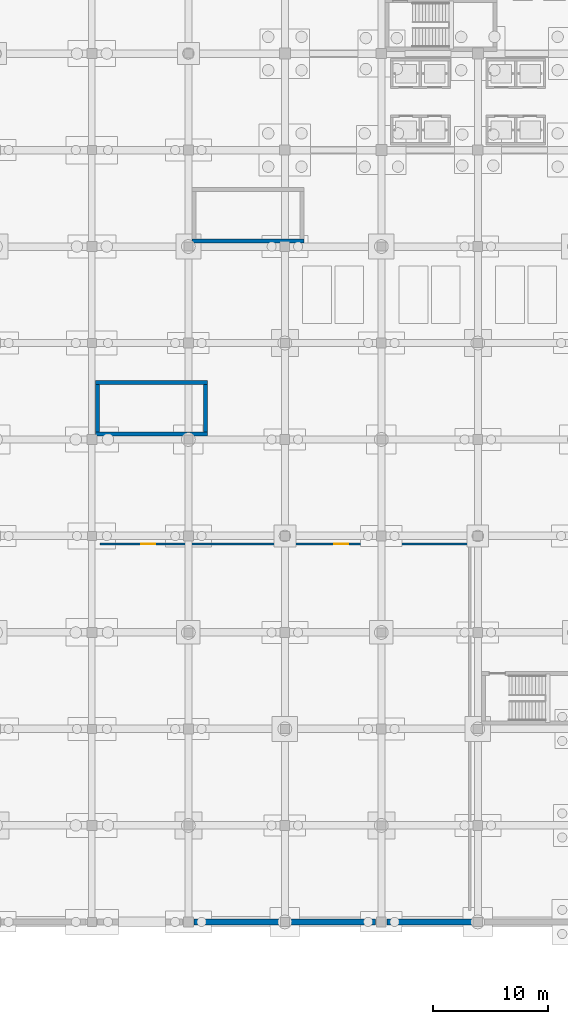
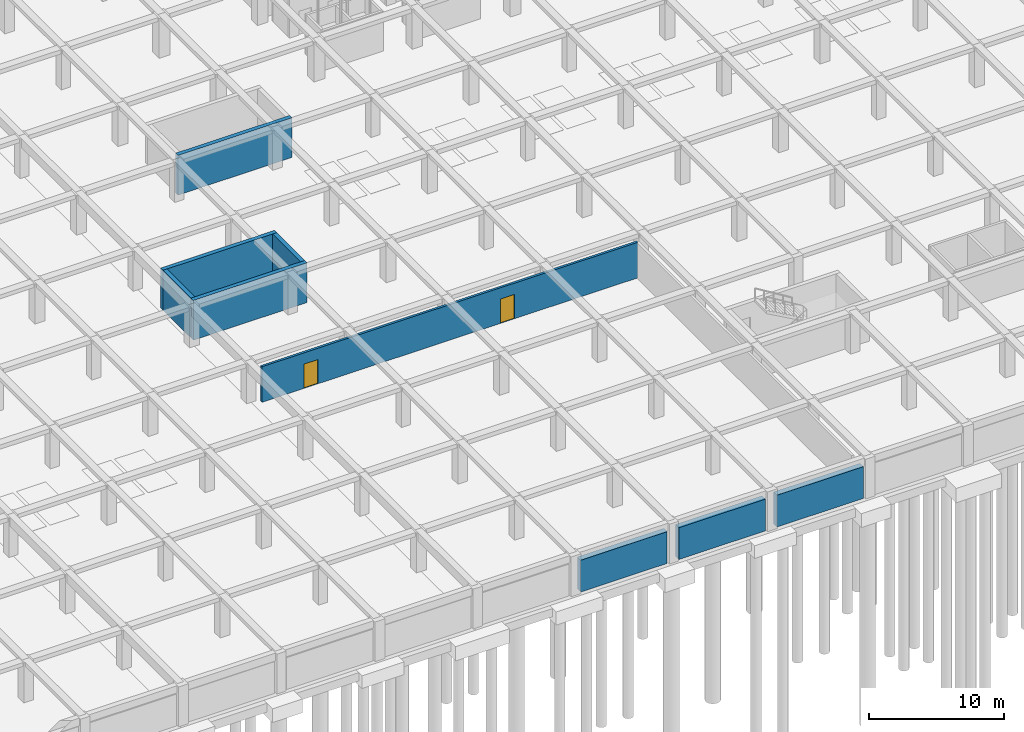
# One storey, part 19 of 47: 9 walls, 2 doors, 2 openings.
"""IFC4 building model written with IfcOpenShell, lengths in metres."""

from ifc_helpers import new_model, si_unit, direction, frame, frame_2d, origin, place, context, subcontext, project, spatial, rectangle, extrude, material, layer, layer_set, type_object, element, fill, save


model = new_model("IFC4")

# Units and contexts
model_context = context("Model", 3, precision=1e-05, world=origin(), true_north=direction((0.0, 1.0)))
body_context = subcontext(model_context, "Body", "Model", "MODEL_VIEW")
ifc_project = project(units=[si_unit("LENGTHUNIT", "METRE"), si_unit("AREAUNIT", "SQUARE_METRE"), si_unit("VOLUMEUNIT", "CUBIC_METRE"), si_unit("PLANEANGLEUNIT", "RADIAN"), si_unit("MASSUNIT", "GRAM", prefix="KILO")], contexts=[model_context])

# Site, building, storey
site_placement = place(None, origin())
site = spatial("IfcSite", under=ifc_project, at=site_placement, CompositionType="ELEMENT")
building_placement = place(site_placement, origin())
building = spatial("IfcBuilding", under=site, at=building_placement, Name="Almacenes y Pasaje Nevantli", CompositionType="ELEMENT")
storey_placement = place(building_placement, frame((0.0, 0.0, -8.10009765625)))
storey = spatial("IfcBuildingStorey", under=building, at=storey_placement, Name="B02", CompositionType="ELEMENT", Elevation=-8.10009765625)

# Wall, openings, doors
ifc_material_1 = material(Name="Fire-Rated Concrete Blockwork", Category="masonry")
ifc_layer_1 = layer(ifc_material_1, 0.199951171875)
ifc_layer_set_1 = layer_set([ifc_layer_1], Name="Fire-Rated Concrete Blockwork")
wall_type_1 = type_object("IfcWallType", Name="WL-COMP-200", PredefinedType="PARTITIONING", material=ifc_layer_set_1)
wall_1_placement = place(storey_placement, frame((93.10009765625, 32.89990234375, 0.0), z_axis=(0.0, 0.0, 1.0), x_axis=(1.0, 0.0, 0.0)))
wall_1 = element("IfcWall", 1, at=wall_1_placement, inside=storey, type_object=wall_type_1, Name="B02 Interior Partition Wall IW-200 #15", PredefinedType="PARTITIONING", context=body_context, shape_type="SweptSolid", body=[
    extrude(rectangle(XDim=32.199951171875, YDim=0.199951171875, at=frame_2d((16.10009765625, 0.0))), origin(), (0.0, 0.0, 1.0), 3.22021484375),
])
opening_1_placement = place(wall_1_placement, frame((3.60009765625, 0.0, 0.0)))
opening_1 = element("IfcOpeningElement", 2, at=opening_1_placement, cuts=wall_1, Name="Opening ID-B02-006", PredefinedType="OPENING", context=body_context, shape_type="SweptSolid", body=[
    extrude(rectangle(XDim=1.199951171875, YDim=2.199951171875, at=frame_2d((0.60009765625, 1.10009765625))), frame((0.0, 0.10986328125, 0.0), z_axis=(0.0, -1.0, 0.0), x_axis=(1.0, 0.0, 0.0)), (0.0, 0.0, 1.0), 0.219970703125),
])
opening_2_placement = place(wall_1_placement, frame((20.39990234375, 0.0, 0.0)))
opening_2 = element("IfcOpeningElement", 3, at=opening_2_placement, cuts=wall_1, Name="Opening ID-B02-007", PredefinedType="OPENING", context=body_context, shape_type="SweptSolid", body=[
    extrude(rectangle(XDim=1.199951171875, YDim=2.199951171875, at=frame_2d((0.60009765625, 1.10009765625))), frame((0.0, 0.10986328125, 0.0), z_axis=(0.0, -1.0, 0.0), x_axis=(1.0, 0.0, 0.0)), (0.0, 0.0, 1.0), 0.219970703125),
])
ifc_material_2 = material(Name="Galvanized Fire-Rated Steel", Category="steel")
door_type_1 = type_object("IfcDoorType", Name="DR-FD60-1200", OperationType="SINGLE_SWING_LEFT", PredefinedType="DOOR", material=ifc_material_2)
door_1_placement = place(opening_1_placement, origin())
door_1 = element("IfcDoor", 4, at=door_1_placement, inside=storey, type_object=door_type_1, Name="B02 Fire Cistern Pump Hall Door", OperationType="SINGLE_SWING_LEFT", OverallHeight=2.199951171875, OverallWidth=1.199951171875, PredefinedType="DOOR", context=body_context, shape_type="SweptSolid", body=[
    extrude(rectangle(XDim=1.199951171875, YDim=2.199951171875, at=frame_2d((0.60009765625, 1.10009765625))), frame((0.0, 0.02490234375, 0.0), z_axis=(0.0, -1.0, 0.0), x_axis=(1.0, 0.0, 0.0)), (0.0, 0.0, 1.0), 0.050048828125),
])
fill(opening_1, door_1)
ifc_material_3 = material(Name="Galvanized Fire-Rated Steel", Category="steel")
door_type_2 = type_object("IfcDoorType", Name="DR-FD60-1200R", OperationType="SINGLE_SWING_RIGHT", PredefinedType="DOOR", material=ifc_material_3)
door_2_placement = place(opening_2_placement, origin())
door_2 = element("IfcDoor", 5, at=door_2_placement, inside=storey, type_object=door_type_2, Name="B02 Potable Cistern Hall Door", OperationType="SINGLE_SWING_RIGHT", OverallHeight=2.199951171875, OverallWidth=1.199951171875, PredefinedType="DOOR", context=body_context, shape_type="SweptSolid", body=[
    extrude(rectangle(XDim=1.199951171875, YDim=2.199951171875, at=frame_2d((0.60009765625, 1.10009765625))), frame((0.0, 0.02490234375, 0.0), z_axis=(0.0, -1.0, 0.0), x_axis=(1.0, 0.0, 0.0)), (0.0, 0.0, 1.0), 0.050048828125),
])
fill(opening_2, door_2)

# Walls
ifc_material_4 = material(Name="Concrete C45/55", Category="concrete")
ifc_layer_2 = layer(ifc_material_4, 0.35009765625)
ifc_layer_set_2 = layer_set([ifc_layer_2], Name="Concrete C45/55")
wall_type_2 = type_object("IfcWallType", Name="WL-CORE-350", PredefinedType="SHEAR", material=ifc_layer_set_2)
for number, where, z_axis, x_axis, name in (
    (6, (92.699951171875, 42.47509765625, 0.0), (0.0, 0.0, 1.0), (1.0, 0.0, 0.0), "B02 Exit Stair ST-08 South Core Shear Wall"),
    (7, (92.699951171875, 46.97509765625, 0.0), (0.0, 0.0, 1.0), (1.0, 0.0, 0.0), "B02 Exit Stair ST-08 North Core Shear Wall"),
):
    element("IfcWall", number, at=place(storey_placement, frame(where, z_axis=z_axis, x_axis=x_axis)), inside=storey, type_object=wall_type_2, Name=name, PredefinedType="SHEAR", context=body_context, shape_type="SweptSolid", body=[
        extrude(rectangle(XDim=9.75, YDim=0.35009765625, at=frame_2d((4.875, 0.0))), origin(), (0.0, 0.0, 1.0), 3.60009765625),
    ])
for number, where, z_axis, x_axis, name in (
    (8, (92.875, 42.64990234375, 0.0), (0.0, 0.0, 1.0), (0.0, 1.0, 0.0), "B02 Exit Stair ST-08 West Core Shear Wall"),
    (9, (102.27490234375, 42.64990234375, 0.0), (0.0, 0.0, 1.0), (0.0, 1.0, 0.0), "B02 Exit Stair ST-08 East Core Shear Wall"),
):
    element("IfcWall", number, at=place(storey_placement, frame(where, z_axis=z_axis, x_axis=x_axis)), inside=storey, type_object=wall_type_2, Name=name, PredefinedType="SHEAR", context=body_context, shape_type="SweptSolid", body=[
        extrude(rectangle(XDim=4.150146484375, YDim=0.35009765625, at=frame_2d((2.0751953125, 0.0))), origin(), (0.0, 0.0, 1.0), 3.60009765625),
    ])
wall_2_placement = place(storey_placement, frame((101.10009765625, 59.27490234375, 0.0), z_axis=(0.0, 0.0, 1.0), x_axis=(1.0, 0.0, 0.0)))
element("IfcWall", 10, at=wall_2_placement, inside=storey, type_object=wall_type_2, Name="B02 Exit Stair ST-13 South Core Shear Wall", PredefinedType="SHEAR", context=body_context, shape_type="SweptSolid", body=[
    extrude(rectangle(XDim=9.75, YDim=0.35009765625, at=frame_2d((4.875, 0.0))), origin(), (0.0, 0.0, 1.0), 3.60009765625),
])
ifc_material_5 = material(Name="Concrete C45/55", Category="concrete")
ifc_layer_3 = layer(ifc_material_5, 0.5)
ifc_layer_set_3 = layer_set([ifc_layer_3], Name="Concrete C45/55")
wall_type_3 = type_object("IfcWallType", Name="WL-RET-500", PredefinedType="SHEAR", material=ifc_layer_set_3)
wall_3_placement = place(storey_placement, frame((101.300048828125, 0.0, 0.0), z_axis=(0.0, 0.0, 1.0), x_axis=(1.0, 0.0, 0.0)))
element("IfcWall", 11, at=wall_3_placement, inside=storey, type_object=wall_type_3, Name="B02 South Basement Retaining Shear Wall #13", PredefinedType="SHEAR", context=body_context, shape_type="SweptSolid", body=[
    extrude(rectangle(XDim=7.39990234375, YDim=0.5, at=frame_2d((3.699951171875, 0.0))), origin(), (0.0, 0.0, 1.0), 2.880126953125),
])
wall_4_placement = place(storey_placement, frame((109.699951171875, 0.0, 0.0), z_axis=(0.0, 0.0, 1.0), x_axis=(1.0, 0.0, 0.0)))
element("IfcWall", 12, at=wall_4_placement, inside=storey, type_object=wall_type_3, Name="B02 South Basement Retaining Shear Wall #14", PredefinedType="SHEAR", context=body_context, shape_type="SweptSolid", body=[
    extrude(rectangle(XDim=7.400146484375, YDim=0.5, at=frame_2d((3.7001953125, 0.0))), origin(), (0.0, 0.0, 1.0), 2.880126953125),
])
wall_5_placement = place(storey_placement, frame((118.10009765625, 0.0, 0.0), z_axis=(0.0, 0.0, 1.0), x_axis=(1.0, 0.0, 0.0)))
element("IfcWall", 13, at=wall_5_placement, inside=storey, type_object=wall_type_3, Name="B02 South Basement Retaining Shear Wall #15", PredefinedType="SHEAR", context=body_context, shape_type="SweptSolid", body=[
    extrude(rectangle(XDim=7.39990234375, YDim=0.5, at=frame_2d((3.699951171875, 0.0))), origin(), (0.0, 0.0, 1.0), 2.880126953125),
])

save(model, "model.ifc")
